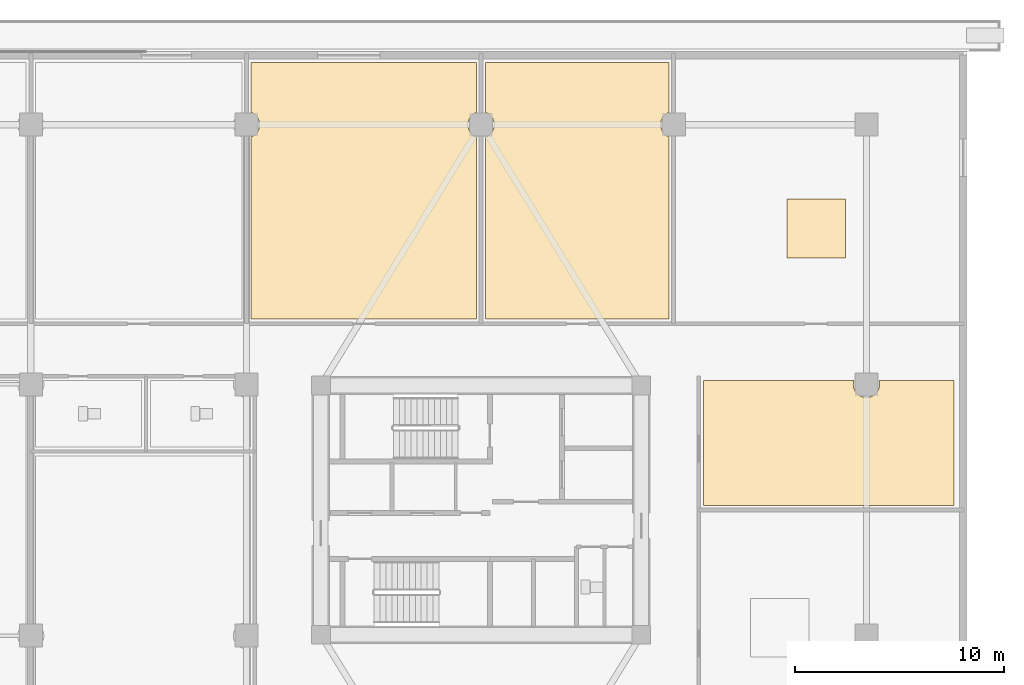
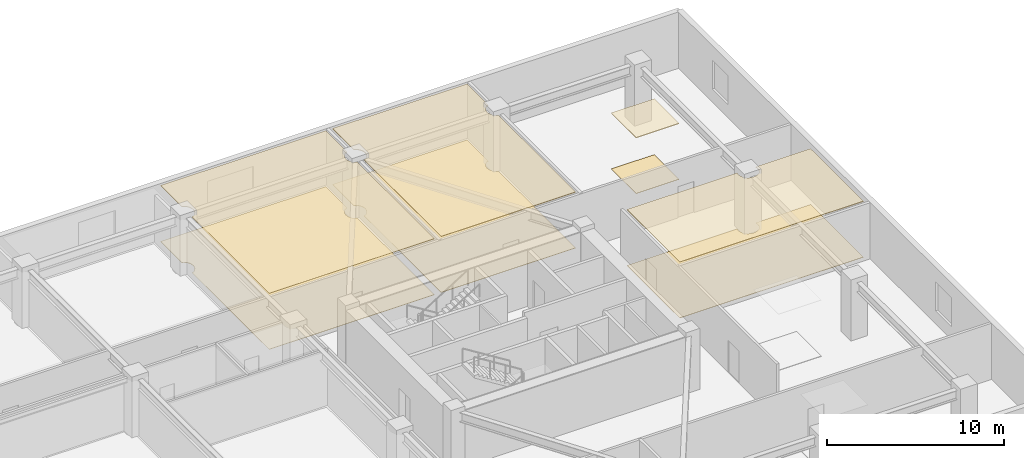
# One storey, part 21 of 23: 8 coverings.
"""IFC4 building model written with IfcOpenShell, lengths in metres."""

from ifc_helpers import new_model, si_unit, direction, frame, origin, place, context, subcontext, project, spatial, polyline, outline, extrude, material, layer, layer_set, type_object, element, save


model = new_model("IFC4")

# Units and contexts
model_context = context("Model", 3, precision=1e-05, world=origin(), true_north=direction((0.0, 1.0)))
body_context = subcontext(model_context, "Body", "Model", "MODEL_VIEW")
ifc_project = project(units=[si_unit("LENGTHUNIT", "METRE"), si_unit("AREAUNIT", "SQUARE_METRE"), si_unit("VOLUMEUNIT", "CUBIC_METRE"), si_unit("PLANEANGLEUNIT", "RADIAN"), si_unit("MASSUNIT", "GRAM", prefix="KILO")], contexts=[model_context])

# Site, building, storey
site_placement = place(None, origin())
site = spatial("IfcSite", under=ifc_project, at=site_placement, CompositionType="ELEMENT")
building_placement = place(site_placement, origin())
building = spatial("IfcBuilding", under=site, at=building_placement, Name="Norrkilde Senior Care Towers", CompositionType="ELEMENT")
storey_placement = place(building_placement, frame((0.0, 0.0, 8.39990234375)))
storey = spatial("IfcBuildingStorey", under=building, at=storey_placement, Name="L02", CompositionType="ELEMENT", Elevation=8.39990234375)

# Coverings
ifc_material_1 = material(Name="Nordic Ash Timber", Category="wood")
ifc_layer_1 = layer(ifc_material_1, 0.044921875)
ifc_layer_set_1 = layer_set([ifc_layer_1], Name="Nordic Ash Timber")
covering_type_1 = type_object("IfcCoveringType", Name="Acoustic Ash Timber Slatted Ceiling 45", PredefinedType="CEILING", material=ifc_layer_set_1)
covering_1_placement = place(storey_placement, frame((0.0, 0.0, 3.835205078125)))
element("IfcCovering", 1, at=covering_1_placement, inside=storey, type_object=covering_type_1, Name="L02 Suspended Ceiling 0049", PredefinedType="CEILING", context=body_context, shape_type="SweptSolid", body=[
    extrude(outline(polyline([(50.580078125, 0.219970703125), (38.6201171875, 0.219970703125), (38.6201171875, 6.179931640625), (45.798583984375, 6.179931640625), (45.79150390625, 6.1630859375), (45.77001953125, 6.0), (45.79150390625, 5.8369140625), (45.8544921875, 5.68505859375), (45.95458984375, 5.554443359375), (46.0849609375, 5.454345703125), (46.237060546875, 5.391357421875), (46.39990234375, 5.3701171875), (46.56298828125, 5.391357421875), (46.715087890625, 5.454345703125), (46.845458984375, 5.554443359375), (46.945556640625, 5.68505859375), (47.008544921875, 5.8369140625), (47.030029296875, 6.0), (47.008544921875, 6.1630859375), (47.00146484375, 6.179931640625), (50.580078125, 6.179931640625), (50.580078125, 0.219970703125)])), origin(), (0.0, 0.0, 1.0), 0.044921875),
])
covering_2_placement = place(storey_placement, frame((0.0, 0.0, 3.835205078125)))
element("IfcCovering", 2, at=covering_2_placement, inside=storey, type_object=covering_type_1, Name="L02 Suspended Ceiling 0063", PredefinedType="CEILING", context=body_context, shape_type="SweptSolid", body=[
    extrude(outline(polyline([(28.219970703125, 9.1201171875), (28.219970703125, 17.81494140625), (28.31494140625, 17.8544921875), (28.445556640625, 17.95458984375), (28.545654296875, 18.0849609375), (28.608642578125, 18.237060546875), (28.6298828125, 18.39990234375), (28.608642578125, 18.56298828125), (28.545654296875, 18.715087890625), (28.445556640625, 18.845458984375), (28.31494140625, 18.945556640625), (28.219970703125, 18.98486328125), (28.219970703125, 21.3798828125), (36.97998046875, 21.3798828125), (36.97998046875, 18.98486328125), (36.885009765625, 18.945556640625), (36.754638671875, 18.845458984375), (36.654296875, 18.715087890625), (36.591552734375, 18.56298828125), (36.570068359375, 18.39990234375), (36.591552734375, 18.237060546875), (36.654296875, 18.0849609375), (36.754638671875, 17.95458984375), (36.885009765625, 17.8544921875), (36.97998046875, 17.81494140625), (36.97998046875, 9.1201171875), (28.219970703125, 9.1201171875)])), origin(), (0.0, 0.0, 1.0), 0.044921875),
])
covering_3_placement = place(storey_placement, frame((0.0, 0.0, 3.835205078125)))
element("IfcCovering", 3, at=covering_3_placement, inside=storey, type_object=covering_type_1, Name="L02 Suspended Ceiling 0064", PredefinedType="CEILING", context=body_context, shape_type="SweptSolid", body=[
    extrude(outline(polyline([(42.60009765625, 12.044921875), (42.60009765625, 14.844970703125), (45.39990234375, 14.844970703125), (45.39990234375, 12.044921875), (42.60009765625, 12.044921875)])), origin(), (0.0, 0.0, 1.0), 0.044921875),
])
ifc_material_2 = material(Name="Gypsum Acoustic Board")
ifc_layer_2 = layer(ifc_material_2, 0.030029296875)
ifc_layer_set_2 = layer_set([ifc_layer_2], Name="Gypsum Acoustic Board")
covering_type_2 = type_object("IfcCoveringType", Name="Medical Cleanable Gypsum Ceiling 30", PredefinedType="CEILING", material=ifc_layer_set_2)
covering_4_placement = place(storey_placement, frame((0.0, 0.0, 3.85009765625)))
element("IfcCovering", 4, at=covering_4_placement, inside=storey, type_object=covering_type_2, Name="L02 Suspended Ceiling 0062", PredefinedType="CEILING", context=body_context, shape_type="SweptSolid", body=[
    extrude(outline(polyline([(17.02001953125, 9.1201171875), (17.02001953125, 17.81494140625), (17.114990234375, 17.8544921875), (17.245361328125, 17.95458984375), (17.345703125, 18.0849609375), (17.408447265625, 18.237060546875), (17.429931640625, 18.39990234375), (17.408447265625, 18.56298828125), (17.345703125, 18.715087890625), (17.245361328125, 18.845458984375), (17.114990234375, 18.945556640625), (17.02001953125, 18.98486328125), (17.02001953125, 21.3798828125), (27.780029296875, 21.3798828125), (27.780029296875, 18.98486328125), (27.68505859375, 18.945556640625), (27.554443359375, 18.845458984375), (27.454345703125, 18.715087890625), (27.391357421875, 18.56298828125), (27.3701171875, 18.39990234375), (27.391357421875, 18.237060546875), (27.454345703125, 18.0849609375), (27.554443359375, 17.95458984375), (27.68505859375, 17.8544921875), (27.780029296875, 17.81494140625), (27.780029296875, 9.1201171875), (17.02001953125, 9.1201171875)])), origin(), (0.0, 0.0, 1.0), 0.030029296875),
])
ifc_material_3 = material(Name="Slip-Resistant Porcelain Stone", Category="masonry")
ifc_layer_3 = layer(ifc_material_3, 0.02490234375)
ifc_layer_set_3 = layer_set([ifc_layer_3], Name="Slip-Resistant Porcelain Stone")
covering_type_3 = type_object("IfcCoveringType", Name="Slip-Resistant Porcelain Flooring 25", PredefinedType="FLOORING", material=ifc_layer_set_3)
covering_5_placement = place(storey_placement, origin())
element("IfcCovering", 5, at=covering_5_placement, inside=storey, type_object=covering_type_3, Name="L02 Floor Finish 0049", PredefinedType="FLOORING", context=body_context, shape_type="SweptSolid", body=[
    extrude(outline(polyline([(50.580078125, 0.219970703125), (38.6201171875, 0.219970703125), (38.6201171875, 6.179931640625), (45.798583984375, 6.179931640625), (45.79150390625, 6.1630859375), (45.77001953125, 6.0), (45.79150390625, 5.8369140625), (45.8544921875, 5.68505859375), (45.95458984375, 5.554443359375), (46.0849609375, 5.454345703125), (46.237060546875, 5.391357421875), (46.39990234375, 5.3701171875), (46.56298828125, 5.391357421875), (46.715087890625, 5.454345703125), (46.845458984375, 5.554443359375), (46.945556640625, 5.68505859375), (47.008544921875, 5.8369140625), (47.030029296875, 6.0), (47.008544921875, 6.1630859375), (47.00146484375, 6.179931640625), (50.580078125, 6.179931640625), (50.580078125, 0.219970703125)])), origin(), (0.0, 0.0, 1.0), 0.025146484375),
])
covering_6_placement = place(storey_placement, origin())
element("IfcCovering", 6, at=covering_6_placement, inside=storey, type_object=covering_type_3, Name="L02 Floor Finish 0062", PredefinedType="FLOORING", context=body_context, shape_type="SweptSolid", body=[
    extrude(outline(polyline([(17.02001953125, 9.1201171875), (17.02001953125, 17.81494140625), (17.114990234375, 17.8544921875), (17.245361328125, 17.95458984375), (17.345703125, 18.0849609375), (17.408447265625, 18.237060546875), (17.429931640625, 18.39990234375), (17.408447265625, 18.56298828125), (17.345703125, 18.715087890625), (17.245361328125, 18.845458984375), (17.114990234375, 18.945556640625), (17.02001953125, 18.98486328125), (17.02001953125, 21.3798828125), (27.780029296875, 21.3798828125), (27.780029296875, 18.98486328125), (27.68505859375, 18.945556640625), (27.554443359375, 18.845458984375), (27.454345703125, 18.715087890625), (27.391357421875, 18.56298828125), (27.3701171875, 18.39990234375), (27.391357421875, 18.237060546875), (27.454345703125, 18.0849609375), (27.554443359375, 17.95458984375), (27.68505859375, 17.8544921875), (27.780029296875, 17.81494140625), (27.780029296875, 9.1201171875), (17.02001953125, 9.1201171875)])), origin(), (0.0, 0.0, 1.0), 0.025146484375),
])
covering_7_placement = place(storey_placement, origin())
element("IfcCovering", 7, at=covering_7_placement, inside=storey, type_object=covering_type_3, Name="L02 Floor Finish 0063", PredefinedType="FLOORING", context=body_context, shape_type="SweptSolid", body=[
    extrude(outline(polyline([(28.219970703125, 9.1201171875), (28.219970703125, 17.81494140625), (28.31494140625, 17.8544921875), (28.445556640625, 17.95458984375), (28.545654296875, 18.0849609375), (28.608642578125, 18.237060546875), (28.6298828125, 18.39990234375), (28.608642578125, 18.56298828125), (28.545654296875, 18.715087890625), (28.445556640625, 18.845458984375), (28.31494140625, 18.945556640625), (28.219970703125, 18.98486328125), (28.219970703125, 21.3798828125), (36.97998046875, 21.3798828125), (36.97998046875, 18.98486328125), (36.885009765625, 18.945556640625), (36.754638671875, 18.845458984375), (36.654296875, 18.715087890625), (36.591552734375, 18.56298828125), (36.570068359375, 18.39990234375), (36.591552734375, 18.237060546875), (36.654296875, 18.0849609375), (36.754638671875, 17.95458984375), (36.885009765625, 17.8544921875), (36.97998046875, 17.81494140625), (36.97998046875, 9.1201171875), (28.219970703125, 9.1201171875)])), origin(), (0.0, 0.0, 1.0), 0.025146484375),
])
covering_8_placement = place(storey_placement, origin())
element("IfcCovering", 8, at=covering_8_placement, inside=storey, type_object=covering_type_3, Name="L02 Floor Finish 0064", PredefinedType="FLOORING", context=body_context, shape_type="SweptSolid", body=[
    extrude(outline(polyline([(42.60009765625, 12.044921875), (42.60009765625, 14.844970703125), (45.39990234375, 14.844970703125), (45.39990234375, 12.044921875), (42.60009765625, 12.044921875)])), origin(), (0.0, 0.0, 1.0), 0.025146484375),
])

save(model, "model.ifc")
